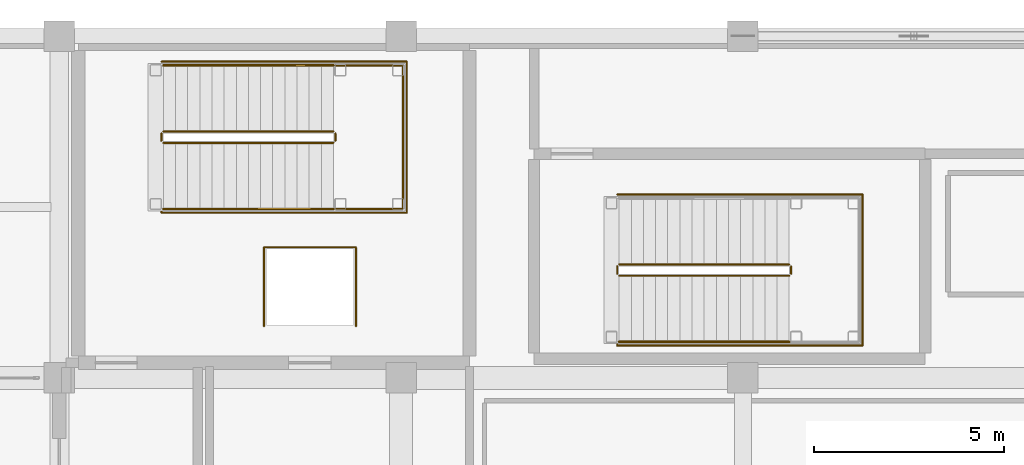
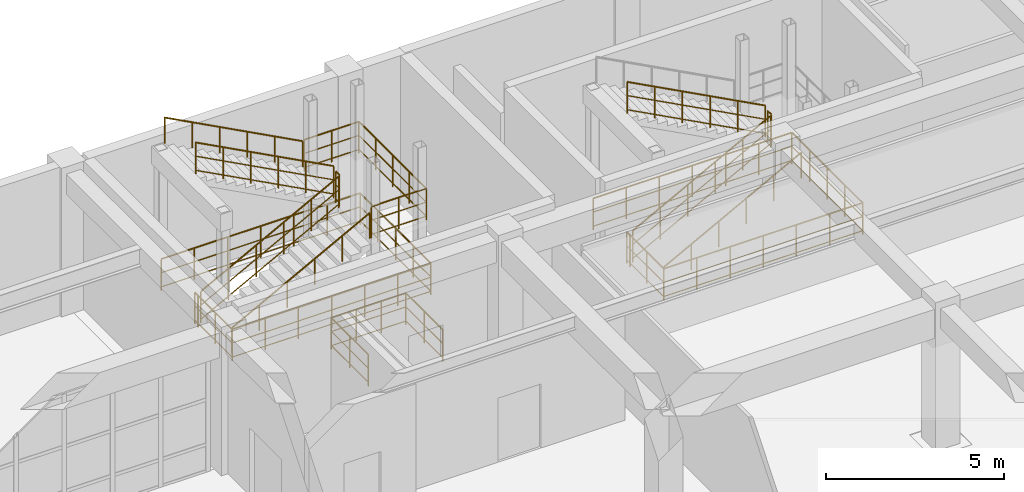
# One storey, part 126 of 128: 15 railings.
"""IFC4 building model written with IfcOpenShell, lengths in metres."""

from ifc_helpers import new_model, si_unit, direction, frame, origin, origin_2d, place, context, subcontext, project, spatial, circle, extrude, material, type_object, element, save


model = new_model("IFC4")

# Units and contexts
model_context = context("Model", 3, precision=1e-05, world=origin(), true_north=direction((0.0, 1.0)))
body_context = subcontext(model_context, "Body", "Model", "MODEL_VIEW")
ifc_project = project(units=[si_unit("LENGTHUNIT", "METRE"), si_unit("AREAUNIT", "SQUARE_METRE"), si_unit("VOLUMEUNIT", "CUBIC_METRE"), si_unit("PLANEANGLEUNIT", "RADIAN"), si_unit("MASSUNIT", "GRAM", prefix="KILO")], contexts=[model_context])

# Site, building, storey
site_placement = place(None, origin())
site = spatial("IfcSite", under=ifc_project, at=site_placement, CompositionType="ELEMENT")
building_placement = place(site_placement, origin())
building = spatial("IfcBuilding", under=site, at=building_placement, Name="Miravela Opera House", CompositionType="ELEMENT")
storey_placement = place(building_placement, origin())
storey = spatial("IfcBuildingStorey", under=building, at=storey_placement, Name="L00", CompositionType="ELEMENT", Elevation=0.0)

# Railings
ifc_material_1 = material(Name="Brushed bronze continuous stair handrail")
railing_type_1 = type_object("IfcRailingType", Name="ARC-RAIL-HAND-900", PredefinedType="HANDRAIL", material=ifc_material_1)
railing_1_placement = place(storey_placement, frame((65.739990234375, 107.449951171875, 0.169921875)))
element("IfcRailing", 1, at=railing_1_placement, inside=storey, type_object=railing_type_1, Name="L00 ST-05 stair handrail 1", PredefinedType="HANDRAIL", context=body_context, shape_type="SweptSolid", body=[
    extrude(circle(Radius=0.02392578125, at=origin_2d()), frame((0.0, 0.0, 0.8759765625), z_axis=(0.883104503341, 0.0, 0.469176338042), x_axis=(0.0, 1.0, 0.0)), (0.0, 0.0, 1.0), 5.072998046875),
    extrude(circle(Radius=0.02099609375, at=origin_2d()), origin(), (0.0, 0.0, 1.0), 0.851806640625),
    extrude(circle(Radius=0.02099609375, at=origin_2d()), frame((0.89599609375, 0.0, 0.47607421875)), (0.0, 0.0, 1.0), 0.851806640625),
    extrude(circle(Radius=0.02099609375, at=origin_2d()), frame((1.7919921875, 0.0, 0.9521484375)), (0.0, 0.0, 1.0), 0.851806640625),
    extrude(circle(Radius=0.02099609375, at=origin_2d()), frame((2.68798828125, 0.0, 1.427978515625)), (0.0, 0.0, 1.0), 0.851806640625),
    extrude(circle(Radius=0.02099609375, at=origin_2d()), frame((3.583984375, 0.0, 1.904052734375)), (0.0, 0.0, 1.0), 0.851806640625),
    extrude(circle(Radius=0.02099609375, at=origin_2d()), frame((4.47998046875, 0.0, 2.380126953125)), (0.0, 0.0, 1.0), 0.851806640625),
])
railing_2_placement = place(storey_placement, frame((70.219970703125, 111.22998046875, 2.719970703125)))
element("IfcRailing", 2, at=railing_2_placement, inside=storey, type_object=railing_type_1, Name="L00 ST-05 stair handrail 2", PredefinedType="HANDRAIL", context=body_context, shape_type="SweptSolid", body=[
    extrude(circle(Radius=0.02392578125, at=origin_2d()), frame((0.0, 0.0, 0.8759765625), z_axis=(-0.883104503341, 0.0, 0.469176338042), x_axis=(0.0, -1.0, 0.0)), (0.0, 0.0, 1.0), 5.072998046875),
    extrude(circle(Radius=0.02099609375, at=origin_2d()), origin(), (0.0, 0.0, 1.0), 0.851806640625),
    extrude(circle(Radius=0.02099609375, at=origin_2d()), frame((-0.89599609375, 0.0, 0.47607421875)), (0.0, 0.0, 1.0), 0.851806640625),
    extrude(circle(Radius=0.02099609375, at=origin_2d()), frame((-1.7919921875, 0.0, 0.9521484375)), (0.0, 0.0, 1.0), 0.851806640625),
    extrude(circle(Radius=0.02099609375, at=origin_2d()), frame((-2.68798828125, 0.0, 1.427978515625)), (0.0, 0.0, 1.0), 0.851806640625),
    extrude(circle(Radius=0.02099609375, at=origin_2d()), frame((-3.583984375, 0.0, 1.904052734375)), (0.0, 0.0, 1.0), 0.851806640625),
    extrude(circle(Radius=0.02099609375, at=origin_2d()), frame((-4.47998046875, 0.0, 2.380126953125)), (0.0, 0.0, 1.0), 0.851806640625),
])
railing_3_placement = place(storey_placement, frame((77.739990234375, 103.949951171875, 0.169921875)))
element("IfcRailing", 3, at=railing_3_placement, inside=storey, type_object=railing_type_1, Name="L00 ST-07 stair handrail 1", PredefinedType="HANDRAIL", context=body_context, shape_type="SweptSolid", body=[
    extrude(circle(Radius=0.02392578125, at=origin_2d()), frame((0.0, 0.0, 0.8759765625), z_axis=(0.883104503341, 0.0, 0.469176338042), x_axis=(0.0, 1.0, 0.0)), (0.0, 0.0, 1.0), 5.072998046875),
    extrude(circle(Radius=0.02099609375, at=origin_2d()), origin(), (0.0, 0.0, 1.0), 0.851806640625),
    extrude(circle(Radius=0.02099609375, at=origin_2d()), frame((0.89599609375, 0.0, 0.47607421875)), (0.0, 0.0, 1.0), 0.851806640625),
    extrude(circle(Radius=0.02099609375, at=origin_2d()), frame((1.7919921875, 0.0, 0.9521484375)), (0.0, 0.0, 1.0), 0.851806640625),
    extrude(circle(Radius=0.02099609375, at=origin_2d()), frame((2.68798828125, 0.0, 1.427978515625)), (0.0, 0.0, 1.0), 0.851806640625),
    extrude(circle(Radius=0.02099609375, at=origin_2d()), frame((3.583984375, 0.0, 1.904052734375)), (0.0, 0.0, 1.0), 0.851806640625),
    extrude(circle(Radius=0.02099609375, at=origin_2d()), frame((4.47998046875, 0.0, 2.380126953125)), (0.0, 0.0, 1.0), 0.851806640625),
])
ifc_material_2 = material(Name="Painted wrought-iron stair guardrail")
railing_type_2 = type_object("IfcRailingType", Name="ARC-RAIL-STAIR-GUARD", PredefinedType="GUARDRAIL", material=ifc_material_2)
railing_4_placement = place(storey_placement, frame((65.739990234375, 109.18994140625, 0.169921875)))
element("IfcRailing", 4, at=railing_4_placement, inside=storey, type_object=railing_type_2, Name="L00 ST-05 stair guard 1", PredefinedType="GUARDRAIL", context=body_context, shape_type="SweptSolid", body=[
    extrude(circle(Radius=0.02392578125, at=origin_2d()), frame((0.0, 0.0, 1.076171875), z_axis=(0.883104503341, 0.0, 0.469176338042), x_axis=(0.0, 1.0, 0.0)), (0.0, 0.0, 1.0), 5.072998046875),
    extrude(circle(Radius=0.01611328125, at=origin_2d()), frame((0.0, 0.0, 0.60498046875), z_axis=(0.883104503341, 0.0, 0.469176338042), x_axis=(0.0, 1.0, 0.0)), (0.0, 0.0, 1.0), 5.072998046875),
    extrude(circle(Radius=0.01611328125, at=origin_2d()), frame((0.0, 0.0, 0.1201171875), z_axis=(0.883104503341, 0.0, 0.469176338042), x_axis=(0.0, 1.0, 0.0)), (0.0, 0.0, 1.0), 5.072998046875),
    extrude(circle(Radius=0.02099609375, at=origin_2d()), origin(), (0.0, 0.0, 1.0), 1.052001953125),
    extrude(circle(Radius=0.02099609375, at=origin_2d()), frame((0.89599609375, 0.0, 0.47607421875)), (0.0, 0.0, 1.0), 1.052001953125),
    extrude(circle(Radius=0.02099609375, at=origin_2d()), frame((1.7919921875, 0.0, 0.9521484375)), (0.0, 0.0, 1.0), 1.052001953125),
    extrude(circle(Radius=0.02099609375, at=origin_2d()), frame((2.68798828125, 0.0, 1.427978515625)), (0.0, 0.0, 1.0), 1.052001953125),
    extrude(circle(Radius=0.02099609375, at=origin_2d()), frame((3.583984375, 0.0, 1.904052734375)), (0.0, 0.0, 1.0), 1.052001953125),
    extrude(circle(Radius=0.02099609375, at=origin_2d()), frame((4.47998046875, 0.0, 2.380126953125)), (0.0, 0.0, 1.0), 1.052001953125),
])
railing_5_placement = place(storey_placement, frame((70.27001953125, 109.239990234375, 2.550048828125)))
element("IfcRailing", 5, at=railing_5_placement, inside=storey, type_object=railing_type_2, Name="L00 ST-05 stair guard 2", PredefinedType="GUARDRAIL", context=body_context, shape_type="SweptSolid", body=[
    extrude(circle(Radius=0.02392578125, at=origin_2d()), frame((0.0, 0.0, 1.076171875), z_axis=(0.0, 1.0, 0.0), x_axis=(-1.0, 0.0, 0.0)), (0.0, 0.0, 1.0), 0.199951171875),
    extrude(circle(Radius=0.01611328125, at=origin_2d()), frame((0.0, 0.0, 0.60498046875), z_axis=(0.0, 1.0, 0.0), x_axis=(-1.0, 0.0, 0.0)), (0.0, 0.0, 1.0), 0.199951171875),
    extrude(circle(Radius=0.01611328125, at=origin_2d()), frame((0.0, 0.0, 0.1201171875), z_axis=(0.0, 1.0, 0.0), x_axis=(-1.0, 0.0, 0.0)), (0.0, 0.0, 1.0), 0.199951171875),
    extrude(circle(Radius=0.02099609375, at=origin_2d()), origin(), (0.0, 0.0, 1.0), 1.052001953125),
    extrude(circle(Radius=0.02099609375, at=origin_2d()), frame((0.0, 0.199951171875, 0.0)), (0.0, 0.0, 1.0), 1.052001953125),
])
railing_6_placement = place(storey_placement, frame((70.219970703125, 109.489990234375, 2.719970703125)))
element("IfcRailing", 6, at=railing_6_placement, inside=storey, type_object=railing_type_2, Name="L00 ST-05 stair guard 3", PredefinedType="GUARDRAIL", context=body_context, shape_type="SweptSolid", body=[
    extrude(circle(Radius=0.02392578125, at=origin_2d()), frame((0.0, 0.0, 1.076171875), z_axis=(-0.883104503341, 0.0, 0.469176338042), x_axis=(0.0, -1.0, 0.0)), (0.0, 0.0, 1.0), 5.072998046875),
    extrude(circle(Radius=0.01611328125, at=origin_2d()), frame((0.0, 0.0, 0.60498046875), z_axis=(-0.883104503341, 0.0, 0.469176338042), x_axis=(0.0, -1.0, 0.0)), (0.0, 0.0, 1.0), 5.072998046875),
    extrude(circle(Radius=0.01611328125, at=origin_2d()), frame((0.0, 0.0, 0.1201171875), z_axis=(-0.883104503341, 0.0, 0.469176338042), x_axis=(0.0, -1.0, 0.0)), (0.0, 0.0, 1.0), 5.072998046875),
    extrude(circle(Radius=0.02099609375, at=origin_2d()), origin(), (0.0, 0.0, 1.0), 1.052001953125),
    extrude(circle(Radius=0.02099609375, at=origin_2d()), frame((-0.89599609375, 0.0, 0.47607421875)), (0.0, 0.0, 1.0), 1.052001953125),
    extrude(circle(Radius=0.02099609375, at=origin_2d()), frame((-1.7919921875, 0.0, 0.9521484375)), (0.0, 0.0, 1.0), 1.052001953125),
    extrude(circle(Radius=0.02099609375, at=origin_2d()), frame((-2.68798828125, 0.0, 1.427978515625)), (0.0, 0.0, 1.0), 1.052001953125),
    extrude(circle(Radius=0.02099609375, at=origin_2d()), frame((-3.583984375, 0.0, 1.904052734375)), (0.0, 0.0, 1.0), 1.052001953125),
    extrude(circle(Radius=0.02099609375, at=origin_2d()), frame((-4.47998046875, 0.0, 2.380126953125)), (0.0, 0.0, 1.0), 1.052001953125),
])
railing_7_placement = place(storey_placement, frame((65.68994140625, 109.239990234375, 0.0)))
element("IfcRailing", 7, at=railing_7_placement, inside=storey, type_object=railing_type_2, Name="L00 ST-05 stair guard 4", PredefinedType="GUARDRAIL", context=body_context, shape_type="SweptSolid", body=[
    extrude(circle(Radius=0.02392578125, at=origin_2d()), frame((0.0, 0.0, 1.076171875), z_axis=(0.0, 1.0, 0.0), x_axis=(-1.0, 0.0, 0.0)), (0.0, 0.0, 1.0), 0.199951171875),
    extrude(circle(Radius=0.01611328125, at=origin_2d()), frame((0.0, 0.0, 0.60498046875), z_axis=(0.0, 1.0, 0.0), x_axis=(-1.0, 0.0, 0.0)), (0.0, 0.0, 1.0), 0.199951171875),
    extrude(circle(Radius=0.01611328125, at=origin_2d()), frame((0.0, 0.0, 0.1201171875), z_axis=(0.0, 1.0, 0.0), x_axis=(-1.0, 0.0, 0.0)), (0.0, 0.0, 1.0), 0.199951171875),
    extrude(circle(Radius=0.02099609375, at=origin_2d()), origin(), (0.0, 0.0, 1.0), 1.052001953125),
    extrude(circle(Radius=0.02099609375, at=origin_2d()), frame((0.0, 0.199951171875, 0.0)), (0.0, 0.0, 1.0), 1.052001953125),
])
railing_8_placement = place(storey_placement, frame((70.27001953125, 107.449951171875, 2.550048828125)))
element("IfcRailing", 8, at=railing_8_placement, inside=storey, type_object=railing_type_2, Name="Stair ST-05 Half-Landing Perimeter Guard (L00) 0050", PredefinedType="GUARDRAIL", context=body_context, shape_type="SweptSolid", body=[
    extrude(circle(Radius=0.02392578125, at=origin_2d()), frame((0.0, 0.0, 1.076171875), z_axis=(1.0, 0.0, 0.0), x_axis=(0.0, 1.0, 0.0)), (0.0, 0.0, 1.0), 1.780029296875),
    extrude(circle(Radius=0.01611328125, at=origin_2d()), frame((0.0, 0.0, 0.60498046875), z_axis=(1.0, 0.0, 0.0), x_axis=(0.0, 1.0, 0.0)), (0.0, 0.0, 1.0), 1.780029296875),
    extrude(circle(Radius=0.01611328125, at=origin_2d()), frame((0.0, 0.0, 0.1201171875), z_axis=(1.0, 0.0, 0.0), x_axis=(0.0, 1.0, 0.0)), (0.0, 0.0, 1.0), 1.780029296875),
    extrude(circle(Radius=0.02392578125, at=origin_2d()), frame((1.780029296875, 0.0, 1.076171875), z_axis=(0.0, 1.0, 0.0), x_axis=(-1.0, 0.0, 0.0)), (0.0, 0.0, 1.0), 3.780029296875),
    extrude(circle(Radius=0.01611328125, at=origin_2d()), frame((1.780029296875, 0.0, 0.60498046875), z_axis=(0.0, 1.0, 0.0), x_axis=(-1.0, 0.0, 0.0)), (0.0, 0.0, 1.0), 3.780029296875),
    extrude(circle(Radius=0.01611328125, at=origin_2d()), frame((1.780029296875, 0.0, 0.1201171875), z_axis=(0.0, 1.0, 0.0), x_axis=(-1.0, 0.0, 0.0)), (0.0, 0.0, 1.0), 3.780029296875),
    extrude(circle(Radius=0.02392578125, at=origin_2d()), frame((1.780029296875, 3.780029296875, 1.076171875), z_axis=(-1.0, 0.0, 0.0), x_axis=(0.0, -1.0, 0.0)), (0.0, 0.0, 1.0), 1.780029296875),
    extrude(circle(Radius=0.01611328125, at=origin_2d()), frame((1.780029296875, 3.780029296875, 0.60498046875), z_axis=(-1.0, 0.0, 0.0), x_axis=(0.0, -1.0, 0.0)), (0.0, 0.0, 1.0), 1.780029296875),
    extrude(circle(Radius=0.01611328125, at=origin_2d()), frame((1.780029296875, 3.780029296875, 0.1201171875), z_axis=(-1.0, 0.0, 0.0), x_axis=(0.0, -1.0, 0.0)), (0.0, 0.0, 1.0), 1.780029296875),
    extrude(circle(Radius=0.02099609375, at=origin_2d()), origin(), (0.0, 0.0, 1.0), 1.052001953125),
    extrude(circle(Radius=0.02099609375, at=origin_2d()), frame((0.89013671875, 0.0, 0.0)), (0.0, 0.0, 1.0), 1.052001953125),
    extrude(circle(Radius=0.02099609375, at=origin_2d()), frame((1.780029296875, 0.0, 0.0)), (0.0, 0.0, 1.0), 1.052001953125),
    extrude(circle(Radius=0.02099609375, at=origin_2d()), frame((1.780029296875, 0.945068359375, 0.0)), (0.0, 0.0, 1.0), 1.052001953125),
    extrude(circle(Radius=0.02099609375, at=origin_2d()), frame((1.780029296875, 1.89013671875, 0.0)), (0.0, 0.0, 1.0), 1.052001953125),
    extrude(circle(Radius=0.02099609375, at=origin_2d()), frame((1.780029296875, 2.8349609375, 0.0)), (0.0, 0.0, 1.0), 1.052001953125),
    extrude(circle(Radius=0.02099609375, at=origin_2d()), frame((1.780029296875, 3.780029296875, 0.0)), (0.0, 0.0, 1.0), 1.052001953125),
    extrude(circle(Radius=0.02099609375, at=origin_2d()), frame((0.89013671875, 3.780029296875, 0.0)), (0.0, 0.0, 1.0), 1.052001953125),
    extrude(circle(Radius=0.02099609375, at=origin_2d()), frame((0.0, 3.780029296875, 0.0)), (0.0, 0.0, 1.0), 1.052001953125),
])
railing_9_placement = place(storey_placement, frame((65.68994140625, 109.27001953125, 0.0)))
element("IfcRailing", 9, at=railing_9_placement, inside=storey, type_object=railing_type_2, Name="Stair ST-05 Well Slab Opening Guard (L00) 0054", PredefinedType="GUARDRAIL", context=body_context, shape_type="SweptSolid", body=[
    extrude(circle(Radius=0.02392578125, at=origin_2d()), frame((0.0, 0.0, 1.076171875), z_axis=(0.0, -1.0, 0.0), x_axis=(1.0, 0.0, 0.0)), (0.0, 0.0, 1.0), 1.919921875),
    extrude(circle(Radius=0.01611328125, at=origin_2d()), frame((0.0, 0.0, 0.60498046875), z_axis=(0.0, -1.0, 0.0), x_axis=(1.0, 0.0, 0.0)), (0.0, 0.0, 1.0), 1.919921875),
    extrude(circle(Radius=0.01611328125, at=origin_2d()), frame((0.0, 0.0, 0.1201171875), z_axis=(0.0, -1.0, 0.0), x_axis=(1.0, 0.0, 0.0)), (0.0, 0.0, 1.0), 1.919921875),
    extrude(circle(Radius=0.02392578125, at=origin_2d()), frame((0.0, -1.919921875, 1.076171875), z_axis=(1.0, 0.0, 0.0), x_axis=(0.0, 1.0, 0.0)), (0.0, 0.0, 1.0), 6.4599609375),
    extrude(circle(Radius=0.01611328125, at=origin_2d()), frame((0.0, -1.919921875, 0.60498046875), z_axis=(1.0, 0.0, 0.0), x_axis=(0.0, 1.0, 0.0)), (0.0, 0.0, 1.0), 6.4599609375),
    extrude(circle(Radius=0.01611328125, at=origin_2d()), frame((0.0, -1.919921875, 0.1201171875), z_axis=(1.0, 0.0, 0.0), x_axis=(0.0, 1.0, 0.0)), (0.0, 0.0, 1.0), 6.4599609375),
    extrude(circle(Radius=0.02392578125, at=origin_2d()), frame((6.4599609375, -1.919921875, 1.076171875), z_axis=(0.0, 1.0, 0.0), x_axis=(-1.0, 0.0, 0.0)), (0.0, 0.0, 1.0), 3.97998046875),
    extrude(circle(Radius=0.01611328125, at=origin_2d()), frame((6.4599609375, -1.919921875, 0.60498046875), z_axis=(0.0, 1.0, 0.0), x_axis=(-1.0, 0.0, 0.0)), (0.0, 0.0, 1.0), 3.97998046875),
    extrude(circle(Radius=0.01611328125, at=origin_2d()), frame((6.4599609375, -1.919921875, 0.1201171875), z_axis=(0.0, 1.0, 0.0), x_axis=(-1.0, 0.0, 0.0)), (0.0, 0.0, 1.0), 3.97998046875),
    extrude(circle(Radius=0.02392578125, at=origin_2d()), frame((6.4599609375, 2.06005859375, 1.076171875), z_axis=(-1.0, 0.0, 0.0), x_axis=(0.0, -1.0, 0.0)), (0.0, 0.0, 1.0), 6.4599609375),
    extrude(circle(Radius=0.01611328125, at=origin_2d()), frame((6.4599609375, 2.06005859375, 0.60498046875), z_axis=(-1.0, 0.0, 0.0), x_axis=(0.0, -1.0, 0.0)), (0.0, 0.0, 1.0), 6.4599609375),
    extrude(circle(Radius=0.01611328125, at=origin_2d()), frame((6.4599609375, 2.06005859375, 0.1201171875), z_axis=(-1.0, 0.0, 0.0), x_axis=(0.0, -1.0, 0.0)), (0.0, 0.0, 1.0), 6.4599609375),
    extrude(circle(Radius=0.02099609375, at=origin_2d()), origin(), (0.0, 0.0, 1.0), 1.052001953125),
    extrude(circle(Radius=0.02099609375, at=origin_2d()), frame((0.0, -0.9599609375, 0.0)), (0.0, 0.0, 1.0), 1.052001953125),
    extrude(circle(Radius=0.02099609375, at=origin_2d()), frame((0.0, -1.919921875, 0.0)), (0.0, 0.0, 1.0), 1.052001953125),
    extrude(circle(Radius=0.02099609375, at=origin_2d()), frame((1.07666015625, -1.919921875, 0.0)), (0.0, 0.0, 1.0), 1.052001953125),
    extrude(circle(Radius=0.02099609375, at=origin_2d()), frame((2.1533203125, -1.919921875, 0.0)), (0.0, 0.0, 1.0), 1.052001953125),
    extrude(circle(Radius=0.02099609375, at=origin_2d()), frame((3.22998046875, -1.919921875, 0.0)), (0.0, 0.0, 1.0), 1.052001953125),
    extrude(circle(Radius=0.02099609375, at=origin_2d()), frame((4.306640625, -1.919921875, 0.0)), (0.0, 0.0, 1.0), 1.052001953125),
    extrude(circle(Radius=0.02099609375, at=origin_2d()), frame((5.38330078125, -1.919921875, 0.0)), (0.0, 0.0, 1.0), 1.052001953125),
    extrude(circle(Radius=0.02099609375, at=origin_2d()), frame((6.4599609375, -1.919921875, 0.0)), (0.0, 0.0, 1.0), 1.052001953125),
    extrude(circle(Radius=0.02099609375, at=origin_2d()), frame((6.4599609375, -0.9248046875, 0.0)), (0.0, 0.0, 1.0), 1.052001953125),
    extrude(circle(Radius=0.02099609375, at=origin_2d()), frame((6.4599609375, 0.070068359375, 0.0)), (0.0, 0.0, 1.0), 1.052001953125),
    extrude(circle(Radius=0.02099609375, at=origin_2d()), frame((6.4599609375, 1.06494140625, 0.0)), (0.0, 0.0, 1.0), 1.052001953125),
    extrude(circle(Radius=0.02099609375, at=origin_2d()), frame((6.4599609375, 2.06005859375, 0.0)), (0.0, 0.0, 1.0), 1.052001953125),
    extrude(circle(Radius=0.02099609375, at=origin_2d()), frame((5.38330078125, 2.06005859375, 0.0)), (0.0, 0.0, 1.0), 1.052001953125),
    extrude(circle(Radius=0.02099609375, at=origin_2d()), frame((4.306640625, 2.06005859375, 0.0)), (0.0, 0.0, 1.0), 1.052001953125),
    extrude(circle(Radius=0.02099609375, at=origin_2d()), frame((3.22998046875, 2.06005859375, 0.0)), (0.0, 0.0, 1.0), 1.052001953125),
    extrude(circle(Radius=0.02099609375, at=origin_2d()), frame((2.1533203125, 2.06005859375, 0.0)), (0.0, 0.0, 1.0), 1.052001953125),
    extrude(circle(Radius=0.02099609375, at=origin_2d()), frame((1.07666015625, 2.06005859375, 0.0)), (0.0, 0.0, 1.0), 1.052001953125),
    extrude(circle(Radius=0.02099609375, at=origin_2d()), frame((0.0, 2.06005859375, 0.0)), (0.0, 0.0, 1.0), 1.052001953125),
])
railing_10_placement = place(storey_placement, frame((77.739990234375, 105.68994140625, 0.169921875)))
element("IfcRailing", 10, at=railing_10_placement, inside=storey, type_object=railing_type_2, Name="L00 ST-07 stair guard 1", PredefinedType="GUARDRAIL", context=body_context, shape_type="SweptSolid", body=[
    extrude(circle(Radius=0.02392578125, at=origin_2d()), frame((0.0, 0.0, 1.076171875), z_axis=(0.883104503341, 0.0, 0.469176338042), x_axis=(0.0, 1.0, 0.0)), (0.0, 0.0, 1.0), 5.072998046875),
    extrude(circle(Radius=0.01611328125, at=origin_2d()), frame((0.0, 0.0, 0.60498046875), z_axis=(0.883104503341, 0.0, 0.469176338042), x_axis=(0.0, 1.0, 0.0)), (0.0, 0.0, 1.0), 5.072998046875),
    extrude(circle(Radius=0.01611328125, at=origin_2d()), frame((0.0, 0.0, 0.1201171875), z_axis=(0.883104503341, 0.0, 0.469176338042), x_axis=(0.0, 1.0, 0.0)), (0.0, 0.0, 1.0), 5.072998046875),
    extrude(circle(Radius=0.02099609375, at=origin_2d()), origin(), (0.0, 0.0, 1.0), 1.052001953125),
    extrude(circle(Radius=0.02099609375, at=origin_2d()), frame((0.89599609375, 0.0, 0.47607421875)), (0.0, 0.0, 1.0), 1.052001953125),
    extrude(circle(Radius=0.02099609375, at=origin_2d()), frame((1.7919921875, 0.0, 0.9521484375)), (0.0, 0.0, 1.0), 1.052001953125),
    extrude(circle(Radius=0.02099609375, at=origin_2d()), frame((2.68798828125, 0.0, 1.427978515625)), (0.0, 0.0, 1.0), 1.052001953125),
    extrude(circle(Radius=0.02099609375, at=origin_2d()), frame((3.583984375, 0.0, 1.904052734375)), (0.0, 0.0, 1.0), 1.052001953125),
    extrude(circle(Radius=0.02099609375, at=origin_2d()), frame((4.47998046875, 0.0, 2.380126953125)), (0.0, 0.0, 1.0), 1.052001953125),
])
railing_11_placement = place(storey_placement, frame((82.27001953125, 105.739990234375, 2.550048828125)))
element("IfcRailing", 11, at=railing_11_placement, inside=storey, type_object=railing_type_2, Name="L00 ST-07 stair guard 2", PredefinedType="GUARDRAIL", context=body_context, shape_type="SweptSolid", body=[
    extrude(circle(Radius=0.02392578125, at=origin_2d()), frame((0.0, 0.0, 1.076171875), z_axis=(0.0, 1.0, 0.0), x_axis=(-1.0, 0.0, 0.0)), (0.0, 0.0, 1.0), 0.199951171875),
    extrude(circle(Radius=0.01611328125, at=origin_2d()), frame((0.0, 0.0, 0.60498046875), z_axis=(0.0, 1.0, 0.0), x_axis=(-1.0, 0.0, 0.0)), (0.0, 0.0, 1.0), 0.199951171875),
    extrude(circle(Radius=0.01611328125, at=origin_2d()), frame((0.0, 0.0, 0.1201171875), z_axis=(0.0, 1.0, 0.0), x_axis=(-1.0, 0.0, 0.0)), (0.0, 0.0, 1.0), 0.199951171875),
    extrude(circle(Radius=0.02099609375, at=origin_2d()), origin(), (0.0, 0.0, 1.0), 1.052001953125),
    extrude(circle(Radius=0.02099609375, at=origin_2d()), frame((0.0, 0.199951171875, 0.0)), (0.0, 0.0, 1.0), 1.052001953125),
])
railing_12_placement = place(storey_placement, frame((82.219970703125, 105.989990234375, 2.719970703125)))
element("IfcRailing", 12, at=railing_12_placement, inside=storey, type_object=railing_type_2, Name="L00 ST-07 stair guard 3", PredefinedType="GUARDRAIL", context=body_context, shape_type="SweptSolid", body=[
    extrude(circle(Radius=0.02392578125, at=origin_2d()), frame((0.0, 0.0, 1.076171875), z_axis=(-0.883104503341, 0.0, 0.469176338042), x_axis=(0.0, -1.0, 0.0)), (0.0, 0.0, 1.0), 5.072998046875),
    extrude(circle(Radius=0.01611328125, at=origin_2d()), frame((0.0, 0.0, 0.60498046875), z_axis=(-0.883104503341, 0.0, 0.469176338042), x_axis=(0.0, -1.0, 0.0)), (0.0, 0.0, 1.0), 5.072998046875),
    extrude(circle(Radius=0.01611328125, at=origin_2d()), frame((0.0, 0.0, 0.1201171875), z_axis=(-0.883104503341, 0.0, 0.469176338042), x_axis=(0.0, -1.0, 0.0)), (0.0, 0.0, 1.0), 5.072998046875),
    extrude(circle(Radius=0.02099609375, at=origin_2d()), origin(), (0.0, 0.0, 1.0), 1.052001953125),
    extrude(circle(Radius=0.02099609375, at=origin_2d()), frame((-0.89599609375, 0.0, 0.47607421875)), (0.0, 0.0, 1.0), 1.052001953125),
    extrude(circle(Radius=0.02099609375, at=origin_2d()), frame((-1.7919921875, 0.0, 0.9521484375)), (0.0, 0.0, 1.0), 1.052001953125),
    extrude(circle(Radius=0.02099609375, at=origin_2d()), frame((-2.68798828125, 0.0, 1.427978515625)), (0.0, 0.0, 1.0), 1.052001953125),
    extrude(circle(Radius=0.02099609375, at=origin_2d()), frame((-3.583984375, 0.0, 1.904052734375)), (0.0, 0.0, 1.0), 1.052001953125),
    extrude(circle(Radius=0.02099609375, at=origin_2d()), frame((-4.47998046875, 0.0, 2.380126953125)), (0.0, 0.0, 1.0), 1.052001953125),
])
railing_13_placement = place(storey_placement, frame((77.68994140625, 105.739990234375, 0.0)))
element("IfcRailing", 13, at=railing_13_placement, inside=storey, type_object=railing_type_2, Name="L00 ST-07 stair guard 4", PredefinedType="GUARDRAIL", context=body_context, shape_type="SweptSolid", body=[
    extrude(circle(Radius=0.02392578125, at=origin_2d()), frame((0.0, 0.0, 1.076171875), z_axis=(0.0, 1.0, 0.0), x_axis=(-1.0, 0.0, 0.0)), (0.0, 0.0, 1.0), 0.199951171875),
    extrude(circle(Radius=0.01611328125, at=origin_2d()), frame((0.0, 0.0, 0.60498046875), z_axis=(0.0, 1.0, 0.0), x_axis=(-1.0, 0.0, 0.0)), (0.0, 0.0, 1.0), 0.199951171875),
    extrude(circle(Radius=0.01611328125, at=origin_2d()), frame((0.0, 0.0, 0.1201171875), z_axis=(0.0, 1.0, 0.0), x_axis=(-1.0, 0.0, 0.0)), (0.0, 0.0, 1.0), 0.199951171875),
    extrude(circle(Radius=0.02099609375, at=origin_2d()), origin(), (0.0, 0.0, 1.0), 1.052001953125),
    extrude(circle(Radius=0.02099609375, at=origin_2d()), frame((0.0, 0.199951171875, 0.0)), (0.0, 0.0, 1.0), 1.052001953125),
])
railing_14_placement = place(storey_placement, frame((77.68994140625, 105.77001953125, 0.0)))
element("IfcRailing", 14, at=railing_14_placement, inside=storey, type_object=railing_type_2, Name="Stair ST-07 Well Slab Opening Guard (L00) 0071", PredefinedType="GUARDRAIL", context=body_context, shape_type="SweptSolid", body=[
    extrude(circle(Radius=0.02392578125, at=origin_2d()), frame((0.0, 0.0, 1.076171875), z_axis=(0.0, -1.0, 0.0), x_axis=(1.0, 0.0, 0.0)), (0.0, 0.0, 1.0), 1.919921875),
    extrude(circle(Radius=0.01611328125, at=origin_2d()), frame((0.0, 0.0, 0.60498046875), z_axis=(0.0, -1.0, 0.0), x_axis=(1.0, 0.0, 0.0)), (0.0, 0.0, 1.0), 1.919921875),
    extrude(circle(Radius=0.01611328125, at=origin_2d()), frame((0.0, 0.0, 0.1201171875), z_axis=(0.0, -1.0, 0.0), x_axis=(1.0, 0.0, 0.0)), (0.0, 0.0, 1.0), 1.919921875),
    extrude(circle(Radius=0.02392578125, at=origin_2d()), frame((0.0, -1.919921875, 1.076171875), z_axis=(1.0, 0.0, 0.0), x_axis=(0.0, 1.0, 0.0)), (0.0, 0.0, 1.0), 6.4599609375),
    extrude(circle(Radius=0.01611328125, at=origin_2d()), frame((0.0, -1.919921875, 0.60498046875), z_axis=(1.0, 0.0, 0.0), x_axis=(0.0, 1.0, 0.0)), (0.0, 0.0, 1.0), 6.4599609375),
    extrude(circle(Radius=0.01611328125, at=origin_2d()), frame((0.0, -1.919921875, 0.1201171875), z_axis=(1.0, 0.0, 0.0), x_axis=(0.0, 1.0, 0.0)), (0.0, 0.0, 1.0), 6.4599609375),
    extrude(circle(Radius=0.02392578125, at=origin_2d()), frame((6.4599609375, -1.919921875, 1.076171875), z_axis=(0.0, 1.0, 0.0), x_axis=(-1.0, 0.0, 0.0)), (0.0, 0.0, 1.0), 3.97998046875),
    extrude(circle(Radius=0.01611328125, at=origin_2d()), frame((6.4599609375, -1.919921875, 0.60498046875), z_axis=(0.0, 1.0, 0.0), x_axis=(-1.0, 0.0, 0.0)), (0.0, 0.0, 1.0), 3.97998046875),
    extrude(circle(Radius=0.01611328125, at=origin_2d()), frame((6.4599609375, -1.919921875, 0.1201171875), z_axis=(0.0, 1.0, 0.0), x_axis=(-1.0, 0.0, 0.0)), (0.0, 0.0, 1.0), 3.97998046875),
    extrude(circle(Radius=0.02392578125, at=origin_2d()), frame((6.4599609375, 2.06005859375, 1.076171875), z_axis=(-1.0, 0.0, 0.0), x_axis=(0.0, -1.0, 0.0)), (0.0, 0.0, 1.0), 6.4599609375),
    extrude(circle(Radius=0.01611328125, at=origin_2d()), frame((6.4599609375, 2.06005859375, 0.60498046875), z_axis=(-1.0, 0.0, 0.0), x_axis=(0.0, -1.0, 0.0)), (0.0, 0.0, 1.0), 6.4599609375),
    extrude(circle(Radius=0.01611328125, at=origin_2d()), frame((6.4599609375, 2.06005859375, 0.1201171875), z_axis=(-1.0, 0.0, 0.0), x_axis=(0.0, -1.0, 0.0)), (0.0, 0.0, 1.0), 6.4599609375),
    extrude(circle(Radius=0.02099609375, at=origin_2d()), origin(), (0.0, 0.0, 1.0), 1.052001953125),
    extrude(circle(Radius=0.02099609375, at=origin_2d()), frame((0.0, -0.9599609375, 0.0)), (0.0, 0.0, 1.0), 1.052001953125),
    extrude(circle(Radius=0.02099609375, at=origin_2d()), frame((0.0, -1.919921875, 0.0)), (0.0, 0.0, 1.0), 1.052001953125),
    extrude(circle(Radius=0.02099609375, at=origin_2d()), frame((1.07666015625, -1.919921875, 0.0)), (0.0, 0.0, 1.0), 1.052001953125),
    extrude(circle(Radius=0.02099609375, at=origin_2d()), frame((2.1533203125, -1.919921875, 0.0)), (0.0, 0.0, 1.0), 1.052001953125),
    extrude(circle(Radius=0.02099609375, at=origin_2d()), frame((3.22998046875, -1.919921875, 0.0)), (0.0, 0.0, 1.0), 1.052001953125),
    extrude(circle(Radius=0.02099609375, at=origin_2d()), frame((4.306640625, -1.919921875, 0.0)), (0.0, 0.0, 1.0), 1.052001953125),
    extrude(circle(Radius=0.02099609375, at=origin_2d()), frame((5.38330078125, -1.919921875, 0.0)), (0.0, 0.0, 1.0), 1.052001953125),
    extrude(circle(Radius=0.02099609375, at=origin_2d()), frame((6.4599609375, -1.919921875, 0.0)), (0.0, 0.0, 1.0), 1.052001953125),
    extrude(circle(Radius=0.02099609375, at=origin_2d()), frame((6.4599609375, -0.9248046875, 0.0)), (0.0, 0.0, 1.0), 1.052001953125),
    extrude(circle(Radius=0.02099609375, at=origin_2d()), frame((6.4599609375, 0.070068359375, 0.0)), (0.0, 0.0, 1.0), 1.052001953125),
    extrude(circle(Radius=0.02099609375, at=origin_2d()), frame((6.4599609375, 1.06494140625, 0.0)), (0.0, 0.0, 1.0), 1.052001953125),
    extrude(circle(Radius=0.02099609375, at=origin_2d()), frame((6.4599609375, 2.06005859375, 0.0)), (0.0, 0.0, 1.0), 1.052001953125),
    extrude(circle(Radius=0.02099609375, at=origin_2d()), frame((5.38330078125, 2.06005859375, 0.0)), (0.0, 0.0, 1.0), 1.052001953125),
    extrude(circle(Radius=0.02099609375, at=origin_2d()), frame((4.306640625, 2.06005859375, 0.0)), (0.0, 0.0, 1.0), 1.052001953125),
    extrude(circle(Radius=0.02099609375, at=origin_2d()), frame((3.22998046875, 2.06005859375, 0.0)), (0.0, 0.0, 1.0), 1.052001953125),
    extrude(circle(Radius=0.02099609375, at=origin_2d()), frame((2.1533203125, 2.06005859375, 0.0)), (0.0, 0.0, 1.0), 1.052001953125),
    extrude(circle(Radius=0.02099609375, at=origin_2d()), frame((1.07666015625, 2.06005859375, 0.0)), (0.0, 0.0, 1.0), 1.052001953125),
    extrude(circle(Radius=0.02099609375, at=origin_2d()), frame((0.0, 2.06005859375, 0.0)), (0.0, 0.0, 1.0), 1.052001953125),
])
railing_15_placement = place(storey_placement, frame((68.389892578125, 104.360107421875, 0.0)))
element("IfcRailing", 15, at=railing_15_placement, inside=storey, type_object=railing_type_2, Name="Lift PL-04 Hoistway Slab Opening Guard (L00) 0134", PredefinedType="GUARDRAIL", context=body_context, shape_type="SweptSolid", body=[
    extrude(circle(Radius=0.02392578125, at=origin_2d()), frame((0.0, 0.0, 1.076171875), z_axis=(0.0, 1.0, 0.0), x_axis=(-1.0, 0.0, 0.0)), (0.0, 0.0, 1.0), 2.079833984375),
    extrude(circle(Radius=0.01611328125, at=origin_2d()), frame((0.0, 0.0, 0.60498046875), z_axis=(0.0, 1.0, 0.0), x_axis=(-1.0, 0.0, 0.0)), (0.0, 0.0, 1.0), 2.079833984375),
    extrude(circle(Radius=0.01611328125, at=origin_2d()), frame((0.0, 0.0, 0.1201171875), z_axis=(0.0, 1.0, 0.0), x_axis=(-1.0, 0.0, 0.0)), (0.0, 0.0, 1.0), 2.079833984375),
    extrude(circle(Radius=0.02392578125, at=origin_2d()), frame((0.0, 2.079833984375, 1.076171875), z_axis=(1.0, 0.0, 0.0), x_axis=(0.0, 1.0, 0.0)), (0.0, 0.0, 1.0), 2.420166015625),
    extrude(circle(Radius=0.01611328125, at=origin_2d()), frame((0.0, 2.079833984375, 0.60498046875), z_axis=(1.0, 0.0, 0.0), x_axis=(0.0, 1.0, 0.0)), (0.0, 0.0, 1.0), 2.420166015625),
    extrude(circle(Radius=0.01611328125, at=origin_2d()), frame((0.0, 2.079833984375, 0.1201171875), z_axis=(1.0, 0.0, 0.0), x_axis=(0.0, 1.0, 0.0)), (0.0, 0.0, 1.0), 2.420166015625),
    extrude(circle(Radius=0.02392578125, at=origin_2d()), frame((2.420166015625, 2.079833984375, 1.076171875), z_axis=(0.0, -1.0, 0.0), x_axis=(1.0, 0.0, 0.0)), (0.0, 0.0, 1.0), 2.079833984375),
    extrude(circle(Radius=0.01611328125, at=origin_2d()), frame((2.420166015625, 2.079833984375, 0.60498046875), z_axis=(0.0, -1.0, 0.0), x_axis=(1.0, 0.0, 0.0)), (0.0, 0.0, 1.0), 2.079833984375),
    extrude(circle(Radius=0.01611328125, at=origin_2d()), frame((2.420166015625, 2.079833984375, 0.1201171875), z_axis=(0.0, -1.0, 0.0), x_axis=(1.0, 0.0, 0.0)), (0.0, 0.0, 1.0), 2.079833984375),
    extrude(circle(Radius=0.02099609375, at=origin_2d()), origin(), (0.0, 0.0, 1.0), 1.052001953125),
    extrude(circle(Radius=0.02099609375, at=origin_2d()), frame((0.0, 1.0400390625, 0.0)), (0.0, 0.0, 1.0), 1.052001953125),
    extrude(circle(Radius=0.02099609375, at=origin_2d()), frame((0.0, 2.079833984375, 0.0)), (0.0, 0.0, 1.0), 1.052001953125),
    extrude(circle(Radius=0.02099609375, at=origin_2d()), frame((0.806640625, 2.079833984375, 0.0)), (0.0, 0.0, 1.0), 1.052001953125),
    extrude(circle(Radius=0.02099609375, at=origin_2d()), frame((1.613525390625, 2.079833984375, 0.0)), (0.0, 0.0, 1.0), 1.052001953125),
    extrude(circle(Radius=0.02099609375, at=origin_2d()), frame((2.420166015625, 2.079833984375, 0.0)), (0.0, 0.0, 1.0), 1.052001953125),
    extrude(circle(Radius=0.02099609375, at=origin_2d()), frame((2.420166015625, 1.0400390625, 0.0)), (0.0, 0.0, 1.0), 1.052001953125),
    extrude(circle(Radius=0.02099609375, at=origin_2d()), frame((2.420166015625, 0.0, 0.0)), (0.0, 0.0, 1.0), 1.052001953125),
])

save(model, "model.ifc")
